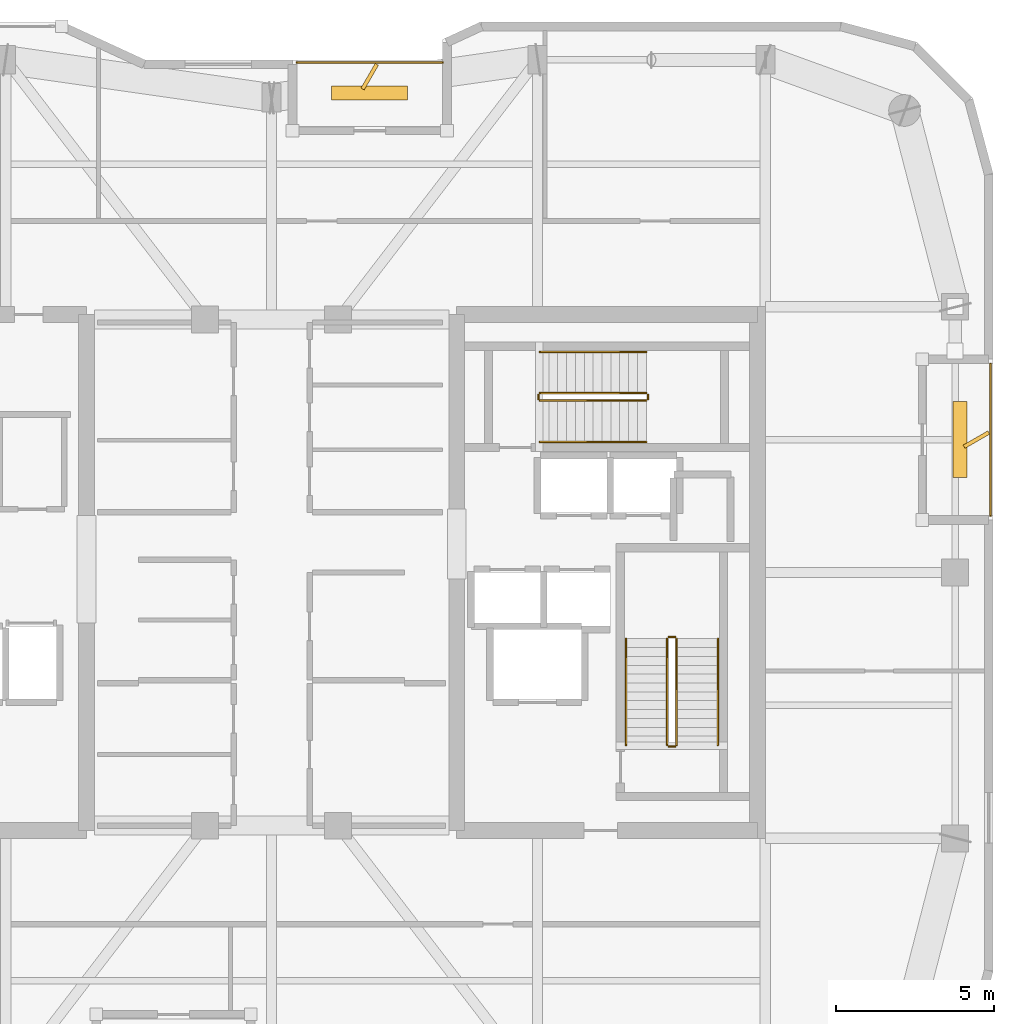
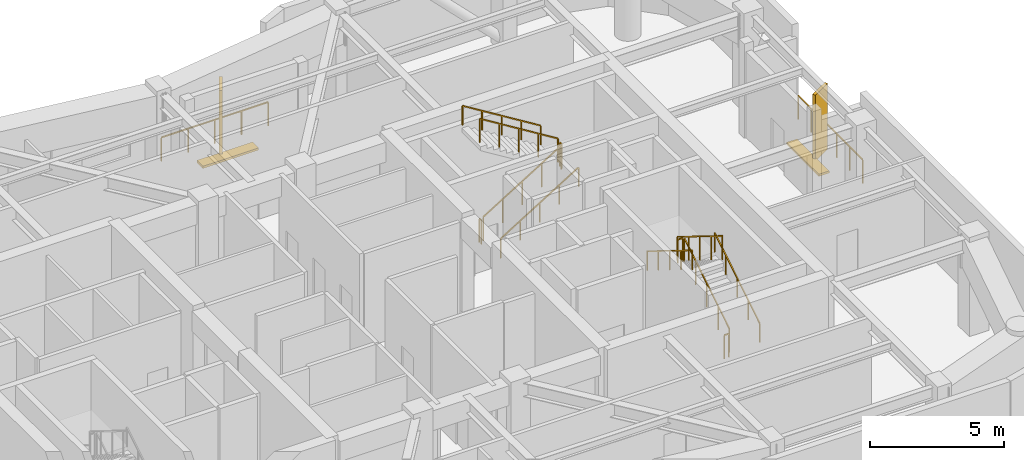
# One storey, part 15 of 15: 14 railings, 4 shading devices.
"""IFC4 building model written with IfcOpenShell, lengths in metres."""

from ifc_helpers import new_model, si_unit, direction, frame, origin, origin_2d, place, context, subcontext, project, spatial, rectangle, extrude, material, type_object, element, save


model = new_model("IFC4")

# Units and contexts
model_context = context("Model", 3, precision=1e-05, world=origin(), true_north=direction((0.0, 1.0)))
body_context = subcontext(model_context, "Body", "Model", "MODEL_VIEW")
ifc_project = project(units=[si_unit("LENGTHUNIT", "METRE"), si_unit("AREAUNIT", "SQUARE_METRE"), si_unit("VOLUMEUNIT", "CUBIC_METRE"), si_unit("PLANEANGLEUNIT", "RADIAN"), si_unit("MASSUNIT", "GRAM", prefix="KILO")], contexts=[model_context])

# Site, building, storey
site_placement = place(None, origin())
site = spatial("IfcSite", under=ifc_project, at=site_placement, CompositionType="ELEMENT")
building_placement = place(site_placement, origin())
building = spatial("IfcBuilding", under=site, at=building_placement, Name="Kiyonajd Concourse Tower", CompositionType="ELEMENT")
storey_placement = place(building_placement, frame((0.0, 0.0, 342.0)))
storey = spatial("IfcBuildingStorey", under=building, at=storey_placement, Name="L86", CompositionType="ELEMENT", Elevation=342.0)

# Railings
ifc_material_1 = material(Name="Thermally Broken Anodised Aluminium", Category="aluminium")
railing_type_1 = type_object("IfcRailingType", Name="RL-GRD-LOG", PredefinedType="GUARDRAIL", material=ifc_material_1)
railing_1_placement = place(storey_placement, frame((53.39990234375, 52.1201171875, 0.0)))
element("IfcRailing", 1, at=railing_1_placement, inside=storey, type_object=railing_type_1, Name="L86 Engawa Loggia Perimeter Guard LOG-N", PredefinedType="GUARDRAIL", context=body_context, shape_type="SweptSolid", body=[
    extrude(rectangle(XDim=0.048095703125, YDim=0.048095703125, at=origin_2d()), frame((0.0, 0.0, 1.076171875), z_axis=(-1.0, 0.0, 0.0), x_axis=(0.0, -1.0, 0.0)), (0.0, 0.0, 1.0), 4.599853515625),
    extrude(rectangle(XDim=0.0419921875, YDim=0.0419921875, at=origin_2d()), origin(), (0.0, 0.0, 1.0), 1.052001953125),
    extrude(rectangle(XDim=0.0419921875, YDim=0.0419921875, at=origin_2d()), frame((-1.14990234375, 0.0, 0.0)), (0.0, 0.0, 1.0), 1.052001953125),
    extrude(rectangle(XDim=0.0419921875, YDim=0.0419921875, at=origin_2d()), frame((-2.2998046875, 0.0, 0.0)), (0.0, 0.0, 1.0), 1.052001953125),
    extrude(rectangle(XDim=0.0419921875, YDim=0.0419921875, at=origin_2d()), frame((-3.449951171875, 0.0, 0.0)), (0.0, 0.0, 1.0), 1.052001953125),
    extrude(rectangle(XDim=0.0419921875, YDim=0.0419921875, at=origin_2d()), frame((-4.599853515625, 0.0, 0.0)), (0.0, 0.0, 1.0), 1.052001953125),
])
railing_2_placement = place(storey_placement, frame((70.719970703125, 37.800048828125, 0.0)))
element("IfcRailing", 2, at=railing_2_placement, inside=storey, type_object=railing_type_1, Name="L86 Engawa Loggia Perimeter Guard LOG-E", PredefinedType="GUARDRAIL", context=body_context, shape_type="SweptSolid", body=[
    extrude(rectangle(XDim=0.048095703125, YDim=0.048095703125, at=origin_2d()), frame((0.0, 0.0, 1.076171875), z_axis=(0.0, 1.0, 0.0), x_axis=(-1.0, 0.0, 0.0)), (0.0, 0.0, 1.0), 4.800048828125),
    extrude(rectangle(XDim=0.0419921875, YDim=0.0419921875, at=origin_2d()), origin(), (0.0, 0.0, 1.0), 1.052001953125),
    extrude(rectangle(XDim=0.0419921875, YDim=0.0419921875, at=origin_2d()), frame((0.0, 0.9599609375, 0.0)), (0.0, 0.0, 1.0), 1.052001953125),
    extrude(rectangle(XDim=0.0419921875, YDim=0.0419921875, at=origin_2d()), frame((0.0, 1.919921875, 0.0)), (0.0, 0.0, 1.0), 1.052001953125),
    extrude(rectangle(XDim=0.0419921875, YDim=0.0419921875, at=origin_2d()), frame((0.0, 2.880126953125, 0.0)), (0.0, 0.0, 1.0), 1.052001953125),
    extrude(rectangle(XDim=0.0419921875, YDim=0.0419921875, at=origin_2d()), frame((0.0, 3.840087890625, 0.0)), (0.0, 0.0, 1.0), 1.052001953125),
    extrude(rectangle(XDim=0.0419921875, YDim=0.0419921875, at=origin_2d()), frame((0.0, 4.800048828125, 0.0)), (0.0, 0.0, 1.0), 1.052001953125),
])
ifc_material_2 = material(Name="Steel ASTM A500 Grade C", Category="steel")
railing_type_2 = type_object("IfcRailingType", Name="RL-GRD-STR", PredefinedType="GUARDRAIL", material=ifc_material_2)
railing_3_placement = place(storey_placement, frame((60.800048828125, 30.550048828125, 0.173095703125)))
element("IfcRailing", 3, at=railing_3_placement, inside=storey, type_object=railing_type_2, Name="L86 ST2 stair guard 1", PredefinedType="GUARDRAIL", context=body_context, shape_type="SweptSolid", body=[
    extrude(rectangle(XDim=0.048095703125, YDim=0.048095703125, at=origin_2d()), frame((0.0, 0.0, 1.076171875), z_axis=(0.0, 0.850606129759, 0.525803396734), x_axis=(-1.0, 0.0, 0.0)), (0.0, 0.0, 1.0), 3.949951171875),
    extrude(rectangle(XDim=0.0419921875, YDim=0.0419921875, at=origin_2d()), origin(), (0.0, 0.0, 1.0), 1.052001953125),
    extrude(rectangle(XDim=0.0419921875, YDim=0.0419921875, at=origin_2d()), frame((0.0, 0.83984375, 0.519287109375)), (0.0, 0.0, 1.0), 1.052001953125),
    extrude(rectangle(XDim=0.0419921875, YDim=0.0419921875, at=origin_2d()), frame((0.0, 1.679931640625, 1.03857421875)), (0.0, 0.0, 1.0), 1.052001953125),
    extrude(rectangle(XDim=0.0419921875, YDim=0.0419921875, at=origin_2d()), frame((0.0, 2.52001953125, 1.5576171875)), (0.0, 0.0, 1.0), 1.052001953125),
    extrude(rectangle(XDim=0.0419921875, YDim=0.0419921875, at=origin_2d()), frame((0.0, 3.35986328125, 2.076904296875)), (0.0, 0.0, 1.0), 1.052001953125),
])
railing_4_placement = place(storey_placement, frame((60.75, 33.9599609375, 2.25)))
element("IfcRailing", 4, at=railing_4_placement, inside=storey, type_object=railing_type_2, Name="L86 ST2 stair guard 2", PredefinedType="GUARDRAIL", context=body_context, shape_type="SweptSolid", body=[
    extrude(rectangle(XDim=0.048095703125, YDim=0.048095703125, at=origin_2d()), frame((0.0, 0.0, 1.076171875), z_axis=(-1.0, 0.0, 0.0), x_axis=(0.0, -1.0, 0.0)), (0.0, 0.0, 1.0), 0.199951171875),
    extrude(rectangle(XDim=0.0419921875, YDim=0.0419921875, at=origin_2d()), origin(), (0.0, 0.0, 1.0), 1.052001953125),
    extrude(rectangle(XDim=0.0419921875, YDim=0.0419921875, at=origin_2d()), frame((-0.199951171875, 0.0, 0.0)), (0.0, 0.0, 1.0), 1.052001953125),
])
railing_5_placement = place(storey_placement, frame((60.5, 33.909912109375, 2.423095703125)))
element("IfcRailing", 5, at=railing_5_placement, inside=storey, type_object=railing_type_2, Name="L86 ST2 stair guard 3", PredefinedType="GUARDRAIL", context=body_context, shape_type="SweptSolid", body=[
    extrude(rectangle(XDim=0.048095703125, YDim=0.048095703125, at=origin_2d()), frame((0.0, 0.0, 1.076171875), z_axis=(0.0, -0.850606129759, 0.525803396734), x_axis=(1.0, 0.0, 0.0)), (0.0, 0.0, 1.0), 3.949951171875),
    extrude(rectangle(XDim=0.0419921875, YDim=0.0419921875, at=origin_2d()), origin(), (0.0, 0.0, 1.0), 1.052001953125),
    extrude(rectangle(XDim=0.0419921875, YDim=0.0419921875, at=origin_2d()), frame((0.0, -0.83984375, 0.519287109375)), (0.0, 0.0, 1.0), 1.052001953125),
    extrude(rectangle(XDim=0.0419921875, YDim=0.0419921875, at=origin_2d()), frame((0.0, -1.679931640625, 1.03857421875)), (0.0, 0.0, 1.0), 1.052001953125),
    extrude(rectangle(XDim=0.0419921875, YDim=0.0419921875, at=origin_2d()), frame((0.0, -2.52001953125, 1.5576171875)), (0.0, 0.0, 1.0), 1.052001953125),
    extrude(rectangle(XDim=0.0419921875, YDim=0.0419921875, at=origin_2d()), frame((0.0, -3.35986328125, 2.076904296875)), (0.0, 0.0, 1.0), 1.052001953125),
])
railing_6_placement = place(storey_placement, frame((60.75, 30.5, 0.0)))
element("IfcRailing", 6, at=railing_6_placement, inside=storey, type_object=railing_type_2, Name="L86 ST2 stair guard 4", PredefinedType="GUARDRAIL", context=body_context, shape_type="SweptSolid", body=[
    extrude(rectangle(XDim=0.048095703125, YDim=0.048095703125, at=origin_2d()), frame((0.0, 0.0, 1.076171875), z_axis=(-1.0, 0.0, 0.0), x_axis=(0.0, -1.0, 0.0)), (0.0, 0.0, 1.0), 0.199951171875),
    extrude(rectangle(XDim=0.0419921875, YDim=0.0419921875, at=origin_2d()), origin(), (0.0, 0.0, 1.0), 1.052001953125),
    extrude(rectangle(XDim=0.0419921875, YDim=0.0419921875, at=origin_2d()), frame((-0.199951171875, 0.0, 0.0)), (0.0, 0.0, 1.0), 1.052001953125),
])
railing_7_placement = place(storey_placement, frame((56.47998046875, 41.429931640625, 0.173095703125)))
element("IfcRailing", 7, at=railing_7_placement, inside=storey, type_object=railing_type_2, Name="L86 ST3 stair guard 1", PredefinedType="GUARDRAIL", context=body_context, shape_type="SweptSolid", body=[
    extrude(rectangle(XDim=0.048095703125, YDim=0.048095703125, at=origin_2d()), frame((0.0, 0.0, 1.076171875), z_axis=(0.850623216509, 0.0, 0.525775754039), x_axis=(0.0, 1.0, 0.0)), (0.0, 0.0, 1.0), 3.9501953125),
    extrude(rectangle(XDim=0.0419921875, YDim=0.0419921875, at=origin_2d()), origin(), (0.0, 0.0, 1.0), 1.052001953125),
    extrude(rectangle(XDim=0.0419921875, YDim=0.0419921875, at=origin_2d()), frame((0.840087890625, 0.0, 0.519287109375)), (0.0, 0.0, 1.0), 1.052001953125),
    extrude(rectangle(XDim=0.0419921875, YDim=0.0419921875, at=origin_2d()), frame((1.68017578125, 0.0, 1.03857421875)), (0.0, 0.0, 1.0), 1.052001953125),
    extrude(rectangle(XDim=0.0419921875, YDim=0.0419921875, at=origin_2d()), frame((2.52001953125, 0.0, 1.5576171875)), (0.0, 0.0, 1.0), 1.052001953125),
    extrude(rectangle(XDim=0.0419921875, YDim=0.0419921875, at=origin_2d()), frame((3.360107421875, 0.0, 2.076904296875)), (0.0, 0.0, 1.0), 1.052001953125),
])
railing_8_placement = place(storey_placement, frame((59.889892578125, 41.47998046875, 2.25)))
element("IfcRailing", 8, at=railing_8_placement, inside=storey, type_object=railing_type_2, Name="L86 ST3 stair guard 2", PredefinedType="GUARDRAIL", context=body_context, shape_type="SweptSolid", body=[
    extrude(rectangle(XDim=0.048095703125, YDim=0.048095703125, at=origin_2d()), frame((0.0, 0.0, 1.076171875), z_axis=(0.0, 1.0, 0.0), x_axis=(-1.0, 0.0, 0.0)), (0.0, 0.0, 1.0), 0.14013671875),
    extrude(rectangle(XDim=0.0419921875, YDim=0.0419921875, at=origin_2d()), origin(), (0.0, 0.0, 1.0), 1.052001953125),
    extrude(rectangle(XDim=0.0419921875, YDim=0.0419921875, at=origin_2d()), frame((0.0, 0.14013671875, 0.0)), (0.0, 0.0, 1.0), 1.052001953125),
])
railing_9_placement = place(storey_placement, frame((59.840087890625, 41.669921875, 2.423095703125)))
element("IfcRailing", 9, at=railing_9_placement, inside=storey, type_object=railing_type_2, Name="L86 ST3 stair guard 3", PredefinedType="GUARDRAIL", context=body_context, shape_type="SweptSolid", body=[
    extrude(rectangle(XDim=0.048095703125, YDim=0.048095703125, at=origin_2d()), frame((0.0, 0.0, 1.076171875), z_axis=(-0.850623216509, 0.0, 0.525775754039), x_axis=(0.0, -1.0, 0.0)), (0.0, 0.0, 1.0), 3.9501953125),
    extrude(rectangle(XDim=0.0419921875, YDim=0.0419921875, at=origin_2d()), origin(), (0.0, 0.0, 1.0), 1.052001953125),
    extrude(rectangle(XDim=0.0419921875, YDim=0.0419921875, at=origin_2d()), frame((-0.840087890625, 0.0, 0.519287109375)), (0.0, 0.0, 1.0), 1.052001953125),
    extrude(rectangle(XDim=0.0419921875, YDim=0.0419921875, at=origin_2d()), frame((-1.68017578125, 0.0, 1.03857421875)), (0.0, 0.0, 1.0), 1.052001953125),
    extrude(rectangle(XDim=0.0419921875, YDim=0.0419921875, at=origin_2d()), frame((-2.52001953125, 0.0, 1.5576171875)), (0.0, 0.0, 1.0), 1.052001953125),
    extrude(rectangle(XDim=0.0419921875, YDim=0.0419921875, at=origin_2d()), frame((-3.360107421875, 0.0, 2.076904296875)), (0.0, 0.0, 1.0), 1.052001953125),
])
railing_10_placement = place(storey_placement, frame((56.429931640625, 41.47998046875, 0.0)))
element("IfcRailing", 10, at=railing_10_placement, inside=storey, type_object=railing_type_2, Name="L86 ST3 stair guard 4", PredefinedType="GUARDRAIL", context=body_context, shape_type="SweptSolid", body=[
    extrude(rectangle(XDim=0.048095703125, YDim=0.048095703125, at=origin_2d()), frame((0.0, 0.0, 1.076171875), z_axis=(0.0, 1.0, 0.0), x_axis=(-1.0, 0.0, 0.0)), (0.0, 0.0, 1.0), 0.14013671875),
    extrude(rectangle(XDim=0.0419921875, YDim=0.0419921875, at=origin_2d()), origin(), (0.0, 0.0, 1.0), 1.052001953125),
    extrude(rectangle(XDim=0.0419921875, YDim=0.0419921875, at=origin_2d()), frame((0.0, 0.14013671875, 0.0)), (0.0, 0.0, 1.0), 1.052001953125),
])
ifc_material_3 = material(Name="Brushed Stainless Steel Cab Assembly", Category="steel")
railing_type_3 = type_object("IfcRailingType", Name="RL-HND-900", PredefinedType="HANDRAIL", material=ifc_material_3)
railing_11_placement = place(storey_placement, frame((62.10009765625, 30.550048828125, 0.173095703125)))
element("IfcRailing", 11, at=railing_11_placement, inside=storey, type_object=railing_type_3, Name="L86 ST2 stair handrail 1", PredefinedType="HANDRAIL", context=body_context, shape_type="SweptSolid", body=[
    extrude(rectangle(XDim=0.048095703125, YDim=0.048095703125, at=origin_2d()), frame((0.0, 0.0, 0.8759765625), z_axis=(0.0, 0.850606129759, 0.525803396734), x_axis=(-1.0, 0.0, 0.0)), (0.0, 0.0, 1.0), 3.949951171875),
    extrude(rectangle(XDim=0.0419921875, YDim=0.0419921875, at=origin_2d()), origin(), (0.0, 0.0, 1.0), 0.851806640625),
    extrude(rectangle(XDim=0.0419921875, YDim=0.0419921875, at=origin_2d()), frame((0.0, 0.83984375, 0.519287109375)), (0.0, 0.0, 1.0), 0.851806640625),
    extrude(rectangle(XDim=0.0419921875, YDim=0.0419921875, at=origin_2d()), frame((0.0, 1.679931640625, 1.03857421875)), (0.0, 0.0, 1.0), 0.851806640625),
    extrude(rectangle(XDim=0.0419921875, YDim=0.0419921875, at=origin_2d()), frame((0.0, 2.52001953125, 1.5576171875)), (0.0, 0.0, 1.0), 0.851806640625),
    extrude(rectangle(XDim=0.0419921875, YDim=0.0419921875, at=origin_2d()), frame((0.0, 3.35986328125, 2.076904296875)), (0.0, 0.0, 1.0), 0.851806640625),
])
railing_12_placement = place(storey_placement, frame((59.199951171875, 33.909912109375, 2.423095703125)))
element("IfcRailing", 12, at=railing_12_placement, inside=storey, type_object=railing_type_3, Name="L86 ST2 stair handrail 2", PredefinedType="HANDRAIL", context=body_context, shape_type="SweptSolid", body=[
    extrude(rectangle(XDim=0.048095703125, YDim=0.048095703125, at=origin_2d()), frame((0.0, 0.0, 0.8759765625), z_axis=(0.0, -0.850606129759, 0.525803396734), x_axis=(1.0, 0.0, 0.0)), (0.0, 0.0, 1.0), 3.949951171875),
    extrude(rectangle(XDim=0.0419921875, YDim=0.0419921875, at=origin_2d()), origin(), (0.0, 0.0, 1.0), 0.851806640625),
    extrude(rectangle(XDim=0.0419921875, YDim=0.0419921875, at=origin_2d()), frame((0.0, -0.83984375, 0.519287109375)), (0.0, 0.0, 1.0), 0.851806640625),
    extrude(rectangle(XDim=0.0419921875, YDim=0.0419921875, at=origin_2d()), frame((0.0, -1.679931640625, 1.03857421875)), (0.0, 0.0, 1.0), 0.851806640625),
    extrude(rectangle(XDim=0.0419921875, YDim=0.0419921875, at=origin_2d()), frame((0.0, -2.52001953125, 1.5576171875)), (0.0, 0.0, 1.0), 0.851806640625),
    extrude(rectangle(XDim=0.0419921875, YDim=0.0419921875, at=origin_2d()), frame((0.0, -3.35986328125, 2.076904296875)), (0.0, 0.0, 1.0), 0.851806640625),
])
railing_13_placement = place(storey_placement, frame((56.47998046875, 40.1298828125, 0.173095703125)))
element("IfcRailing", 13, at=railing_13_placement, inside=storey, type_object=railing_type_3, Name="L86 ST3 stair handrail 1", PredefinedType="HANDRAIL", context=body_context, shape_type="SweptSolid", body=[
    extrude(rectangle(XDim=0.048095703125, YDim=0.048095703125, at=origin_2d()), frame((0.0, 0.0, 0.8759765625), z_axis=(0.850623216509, 0.0, 0.525775754039), x_axis=(0.0, 1.0, 0.0)), (0.0, 0.0, 1.0), 3.9501953125),
    extrude(rectangle(XDim=0.0419921875, YDim=0.0419921875, at=origin_2d()), origin(), (0.0, 0.0, 1.0), 0.851806640625),
    extrude(rectangle(XDim=0.0419921875, YDim=0.0419921875, at=origin_2d()), frame((0.840087890625, 0.0, 0.519287109375)), (0.0, 0.0, 1.0), 0.851806640625),
    extrude(rectangle(XDim=0.0419921875, YDim=0.0419921875, at=origin_2d()), frame((1.68017578125, 0.0, 1.03857421875)), (0.0, 0.0, 1.0), 0.851806640625),
    extrude(rectangle(XDim=0.0419921875, YDim=0.0419921875, at=origin_2d()), frame((2.52001953125, 0.0, 1.5576171875)), (0.0, 0.0, 1.0), 0.851806640625),
    extrude(rectangle(XDim=0.0419921875, YDim=0.0419921875, at=origin_2d()), frame((3.360107421875, 0.0, 2.076904296875)), (0.0, 0.0, 1.0), 0.851806640625),
])
railing_14_placement = place(storey_placement, frame((59.840087890625, 42.969970703125, 2.423095703125)))
element("IfcRailing", 14, at=railing_14_placement, inside=storey, type_object=railing_type_3, Name="L86 ST3 stair handrail 2", PredefinedType="HANDRAIL", context=body_context, shape_type="SweptSolid", body=[
    extrude(rectangle(XDim=0.048095703125, YDim=0.048095703125, at=origin_2d()), frame((0.0, 0.0, 0.8759765625), z_axis=(-0.850623216509, 0.0, 0.525775754039), x_axis=(0.0, -1.0, 0.0)), (0.0, 0.0, 1.0), 3.9501953125),
    extrude(rectangle(XDim=0.0419921875, YDim=0.0419921875, at=origin_2d()), origin(), (0.0, 0.0, 1.0), 0.851806640625),
    extrude(rectangle(XDim=0.0419921875, YDim=0.0419921875, at=origin_2d()), frame((-0.840087890625, 0.0, 0.519287109375)), (0.0, 0.0, 1.0), 0.851806640625),
    extrude(rectangle(XDim=0.0419921875, YDim=0.0419921875, at=origin_2d()), frame((-1.68017578125, 0.0, 1.03857421875)), (0.0, 0.0, 1.0), 0.851806640625),
    extrude(rectangle(XDim=0.0419921875, YDim=0.0419921875, at=origin_2d()), frame((-2.52001953125, 0.0, 1.5576171875)), (0.0, 0.0, 1.0), 0.851806640625),
    extrude(rectangle(XDim=0.0419921875, YDim=0.0419921875, at=origin_2d()), frame((-3.360107421875, 0.0, 2.076904296875)), (0.0, 0.0, 1.0), 0.851806640625),
])

# Shading devices
ifc_material_4 = material(Name="Precast concrete C50/60", Category="concrete")
shading_device_type_1 = type_object("IfcShadingDeviceType", Name="SH-FIN-900", PredefinedType="USERDEFINED", material=ifc_material_4)
for number, where, z_axis, x_axis, name in (
    (15, (51.10009765625, 51.669921875, 0.0), (0.0, 0.0, 1.0), (0.5, 0.866025403784, 0.0), "L86 Angled Koshi Solar Fin LOG-N"),
    (16, (70.27001953125, 40.199951171875, 0.0), (0.0, 0.0, 1.0), (0.866025403784, 0.5, 0.0), "L86 Angled Koshi Solar Fin LOG-E"),
):
    element("IfcShadingDevice", number, at=place(storey_placement, frame(where, z_axis=z_axis, x_axis=x_axis)), inside=storey, type_object=shading_device_type_1, Name=name, ObjectType="FIN", PredefinedType="USERDEFINED", context=body_context, shape_type="SweptSolid", body=[
        extrude(rectangle(XDim=0.89990234375, YDim=0.1201171875, at=origin_2d()), origin(), (0.0, 0.0, 1.0), 3.0),
    ])
shading_device_type_2 = type_object("IfcShadingDeviceType", Name="SH-LVR-600", PredefinedType="JALOUSIE", material=ifc_material_1)
for number, where, z_axis, x_axis, name in (
    (17, (51.10009765625, 51.14990234375, 0.0), (0.0, 0.0, 1.0), (1.0, 0.0, 0.0), "L86 Loggia Threshold Louver LOG-N"),
    (18, (69.75, 40.199951171875, 0.0), (0.0, 0.0, 1.0), (0.0, 1.0, 0.0), "L86 Loggia Threshold Louver LOG-E"),
):
    element("IfcShadingDevice", number, at=place(storey_placement, frame(where, z_axis=z_axis, x_axis=x_axis)), inside=storey, type_object=shading_device_type_2, Name=name, PredefinedType="JALOUSIE", context=body_context, shape_type="SweptSolid", body=[
        extrude(rectangle(XDim=2.39990234375, YDim=0.449951171875, at=origin_2d()), origin(), (0.0, 0.0, 1.0), 0.10009765625),
    ])

save(model, "model.ifc")
